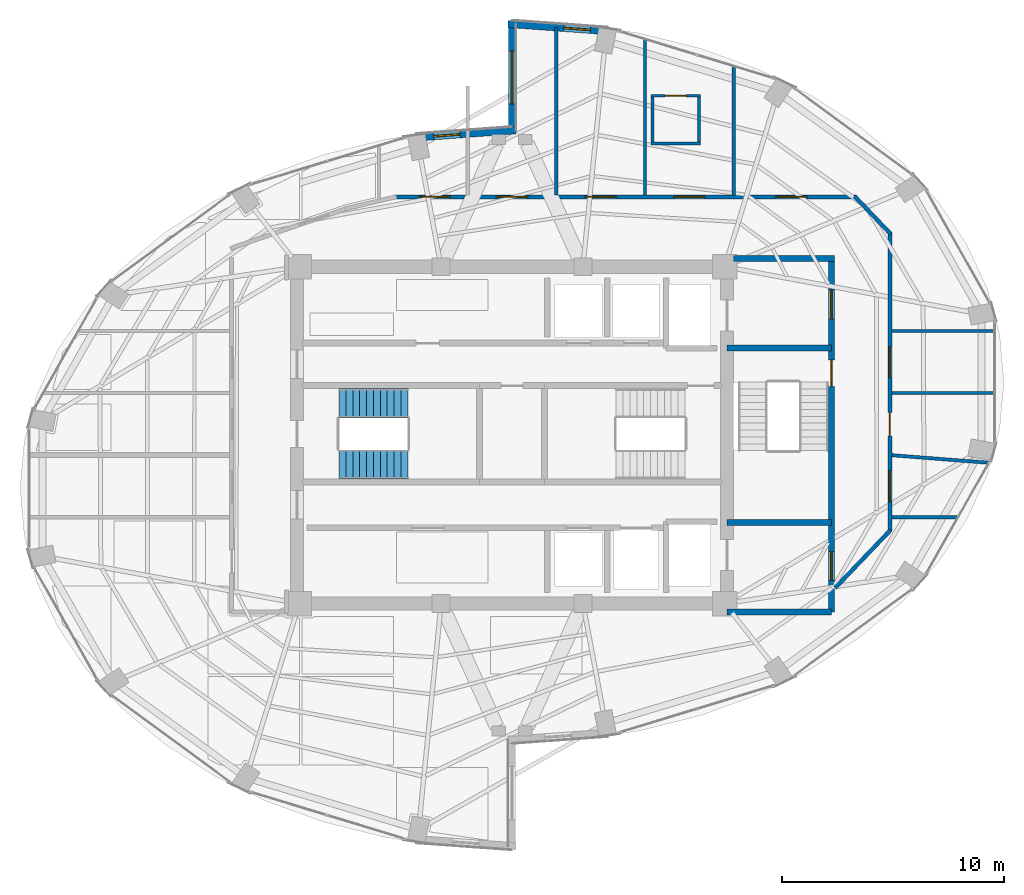
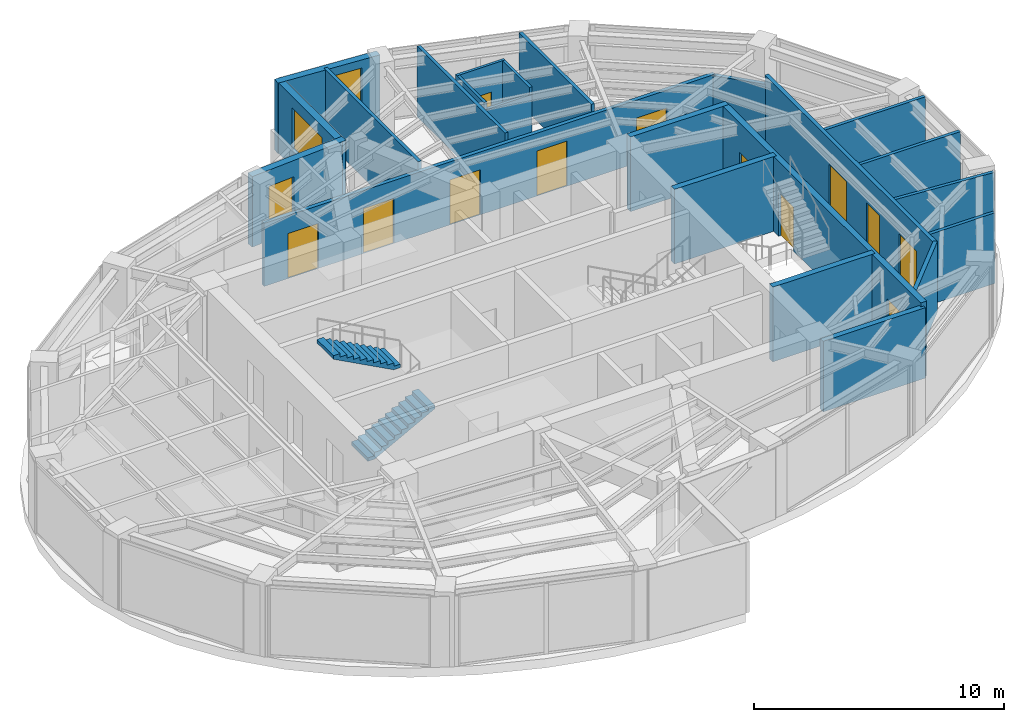
# One storey, part 20 of 23: 23 walls, 12 doors, 3 windows, 2 stair flights, 15 openings, 1 element without a shape of its own.
"""IFC4 building model written with IfcOpenShell, lengths in metres."""

from ifc_helpers import new_model, si_unit, direction, frame, frame_2d, origin, place, context, subcontext, project, spatial, polyline, rectangle, outline, extrude, material, layer, layer_set, type_object, element, fill, aggregate, save


model = new_model("IFC4")

# Units and contexts
model_context = context("Model", 3, precision=1e-05, world=origin(), true_north=direction((0.0, 1.0)))
body_context = subcontext(model_context, "Body", "Model", "MODEL_VIEW")
ifc_project = project(units=[si_unit("LENGTHUNIT", "METRE"), si_unit("AREAUNIT", "SQUARE_METRE"), si_unit("VOLUMEUNIT", "CUBIC_METRE"), si_unit("PLANEANGLEUNIT", "RADIAN"), si_unit("MASSUNIT", "GRAM", prefix="KILO")], contexts=[model_context])

# Site, building, storey
site_placement = place(None, origin())
site = spatial("IfcSite", under=ifc_project, at=site_placement, CompositionType="ELEMENT")
building_placement = place(site_placement, origin())
building = spatial("IfcBuilding", under=site, at=building_placement, Name="Lazwardi Medical Tower", CompositionType="ELEMENT")
storey_placement = place(building_placement, frame((0.0, 0.0, 194.83203125)))
storey = spatial("IfcBuildingStorey", under=building, at=storey_placement, Name="L50", CompositionType="ELEMENT", Elevation=194.83203125)

# Wall, openings, doors
ifc_material_1 = material(Name="Fire-rated gypsum board on steel stud", Category="steel")
ifc_layer_1 = layer(ifc_material_1, 0.179931640625)
ifc_layer_set_1 = layer_set([ifc_layer_1], Name="Fire-rated gypsum board on steel stud")
wall_type_1 = type_object("IfcWallType", Name="WL-COR-180", PredefinedType="PARTITIONING", material=ifc_layer_set_1)
wall_1_placement = place(storey_placement, frame((30.709716796875, 38.75, 0.0), z_axis=(0.0, 0.0, 1.0), x_axis=(1.0, 0.0, 0.0)))
wall_1 = element("IfcWall", 1, at=wall_1_placement, inside=storey, type_object=wall_type_1, Name="L50 Corridor partition 3", PredefinedType="PARTITIONING", context=body_context, shape_type="SweptSolid", body=[
    extrude(rectangle(XDim=20.8154296875, YDim=0.179931640625, at=frame_2d((10.40771484375, 0.0))), origin(), (0.0, 0.0, 1.0), 3.072998046875),
])
opening_1_placement = place(wall_1_placement, frame((17.19384765625, 0.0, 0.0)))
opening_1 = element("IfcOpeningElement", 2, at=opening_1_placement, cuts=wall_1, Name="Opening D-L50-014", PredefinedType="OPENING", context=body_context, shape_type="SweptSolid", body=[
    extrude(rectangle(XDim=1.39990234375, YDim=2.199951171875, at=frame_2d((0.699951171875, 1.10009765625))), frame((0.0, 0.099853515625, 0.0), z_axis=(0.0, -1.0, 0.0), x_axis=(1.0, 0.0, 0.0)), (0.0, 0.0, 1.0), 0.199951171875),
])
opening_2_placement = place(wall_1_placement, frame((12.590087890625, 0.0, 0.0)))
opening_2 = element("IfcOpeningElement", 3, at=opening_2_placement, cuts=wall_1, Name="Opening D-L50-015", PredefinedType="OPENING", context=body_context, shape_type="SweptSolid", body=[
    extrude(rectangle(XDim=1.39990234375, YDim=2.199951171875, at=frame_2d((0.699951171875, 1.10009765625))), frame((0.0, 0.099853515625, 0.0), z_axis=(0.0, -1.0, 0.0), x_axis=(1.0, 0.0, 0.0)), (0.0, 0.0, 1.0), 0.199951171875),
])
opening_3_placement = place(wall_1_placement, frame((8.590087890625, 0.0, 0.0)))
opening_3 = element("IfcOpeningElement", 4, at=opening_3_placement, cuts=wall_1, Name="Opening D-L50-016", PredefinedType="OPENING", context=body_context, shape_type="SweptSolid", body=[
    extrude(rectangle(XDim=1.39990234375, YDim=2.199951171875, at=frame_2d((0.699951171875, 1.10009765625))), frame((0.0, 0.099853515625, 0.0), z_axis=(0.0, -1.0, 0.0), x_axis=(1.0, 0.0, 0.0)), (0.0, 0.0, 1.0), 0.199951171875),
])
opening_4_placement = place(wall_1_placement, frame((4.590087890625, 0.0, 0.0)))
opening_4 = element("IfcOpeningElement", 5, at=opening_4_placement, cuts=wall_1, Name="Opening D-L50-017", PredefinedType="OPENING", context=body_context, shape_type="SweptSolid", body=[
    extrude(rectangle(XDim=1.39990234375, YDim=2.199951171875, at=frame_2d((0.699951171875, 1.10009765625))), frame((0.0, 0.099853515625, 0.0), z_axis=(0.0, -1.0, 0.0), x_axis=(1.0, 0.0, 0.0)), (0.0, 0.0, 1.0), 0.199951171875),
])
opening_5_placement = place(wall_1_placement, frame((1.10400390625, 0.0, 0.0)))
opening_5 = element("IfcOpeningElement", 6, at=opening_5_placement, cuts=wall_1, Name="Opening D-L50-018", PredefinedType="OPENING", context=body_context, shape_type="SweptSolid", body=[
    extrude(rectangle(XDim=1.39990234375, YDim=2.199951171875, at=frame_2d((0.699951171875, 1.10009765625))), frame((0.0, 0.099853515625, 0.0), z_axis=(0.0, -1.0, 0.0), x_axis=(1.0, 0.0, 0.0)), (0.0, 0.0, 1.0), 0.199951171875),
])
ifc_material_2 = material(Name="Anti-microbial laminate hospital leaf")
door_type_1 = type_object("IfcDoorType", Name="DR-BED-1400", OperationType="NOTDEFINED", PredefinedType="DOOR", material=ifc_material_2)
door_1_placement = place(opening_1_placement, origin())
door_1 = element("IfcDoor", 7, at=door_1_placement, inside=storey, type_object=door_type_1, Name="L50 Inpatient Ward Door 06", OperationType="SINGLE_SWING_LEFT", OverallHeight=2.199951171875, OverallWidth=1.39990234375, PredefinedType="DOOR", context=body_context, shape_type="SweptSolid", body=[
    extrude(rectangle(XDim=1.39990234375, YDim=2.199951171875, at=frame_2d((0.699951171875, 1.10009765625))), frame((0.0, 0.02490234375, 0.0), z_axis=(0.0, -1.0, 0.0), x_axis=(1.0, 0.0, 0.0)), (0.0, 0.0, 1.0), 0.050048828125),
])
fill(opening_1, door_1)
door_2_placement = place(opening_2_placement, origin())
door_2 = element("IfcDoor", 8, at=door_2_placement, inside=storey, type_object=door_type_1, Name="L50 Patient Bedroom Door 07", OperationType="SINGLE_SWING_LEFT", OverallHeight=2.199951171875, OverallWidth=1.39990234375, PredefinedType="DOOR", context=body_context, shape_type="SweptSolid", body=[
    extrude(rectangle(XDim=1.39990234375, YDim=2.199951171875, at=frame_2d((0.699951171875, 1.10009765625))), frame((0.0, 0.02490234375, 0.0), z_axis=(0.0, -1.0, 0.0), x_axis=(1.0, 0.0, 0.0)), (0.0, 0.0, 1.0), 0.050048828125),
])
fill(opening_2, door_2)
door_3_placement = place(opening_3_placement, origin())
door_3 = element("IfcDoor", 9, at=door_3_placement, inside=storey, type_object=door_type_1, Name="L50 Inpatient Ward Door 08", OperationType="SINGLE_SWING_RIGHT", OverallHeight=2.199951171875, OverallWidth=1.39990234375, PredefinedType="DOOR", context=body_context, shape_type="SweptSolid", body=[
    extrude(rectangle(XDim=1.39990234375, YDim=2.199951171875, at=frame_2d((0.699951171875, 1.10009765625))), frame((0.0, 0.02490234375, 0.0), z_axis=(0.0, -1.0, 0.0), x_axis=(1.0, 0.0, 0.0)), (0.0, 0.0, 1.0), 0.050048828125),
])
fill(opening_3, door_3)
door_4_placement = place(opening_4_placement, origin())
door_4 = element("IfcDoor", 10, at=door_4_placement, inside=storey, type_object=door_type_1, Name="L50 Outpatient Clinic Door 09", OperationType="SINGLE_SWING_LEFT", OverallHeight=2.199951171875, OverallWidth=1.39990234375, PredefinedType="DOOR", context=body_context, shape_type="SweptSolid", body=[
    extrude(rectangle(XDim=1.39990234375, YDim=2.199951171875, at=frame_2d((0.699951171875, 1.10009765625))), frame((0.0, 0.02490234375, 0.0), z_axis=(0.0, -1.0, 0.0), x_axis=(1.0, 0.0, 0.0)), (0.0, 0.0, 1.0), 0.050048828125),
])
fill(opening_4, door_4)
door_5_placement = place(opening_5_placement, origin())
door_5 = element("IfcDoor", 11, at=door_5_placement, inside=storey, type_object=door_type_1, Name="L50 Outpatient Clinic Door 10", OperationType="SINGLE_SWING_RIGHT", OverallHeight=2.199951171875, OverallWidth=1.39990234375, PredefinedType="DOOR", context=body_context, shape_type="SweptSolid", body=[
    extrude(rectangle(XDim=1.39990234375, YDim=2.199951171875, at=frame_2d((0.699951171875, 1.10009765625))), frame((0.0, 0.02490234375, 0.0), z_axis=(0.0, -1.0, 0.0), x_axis=(1.0, 0.0, 0.0)), (0.0, 0.0, 1.0), 0.050048828125),
])
fill(opening_5, door_5)

# Wall
wall_2_placement = place(storey_placement, frame((51.45751953125, 38.77880859375, 0.0), z_axis=(0.0, 0.0, 1.0), x_axis=(0.691359830363, -0.722510612352, 0.0)))
element("IfcWall", 12, at=wall_2_placement, inside=storey, type_object=wall_type_1, Name="L50 Corridor partition 4", PredefinedType="PARTITIONING", context=body_context, shape_type="SweptSolid", body=[
    extrude(rectangle(XDim=2.34326171875, YDim=0.179931640625, at=frame_2d((1.171630859375, 0.0))), origin(), (0.0, 0.0, 1.0), 3.032958984375),
])

# Wall, openings, doors
wall_3_placement = place(storey_placement, frame((53.050048828125, 37.154541015625, 0.0), z_axis=(0.0, 0.0, 1.0), x_axis=(0.0, -1.0, 0.0)))
wall_3 = element("IfcWall", 13, at=wall_3_placement, inside=storey, type_object=wall_type_1, Name="L50 Corridor partition 5", PredefinedType="PARTITIONING", context=body_context, shape_type="SweptSolid", body=[
    extrude(rectangle(XDim=13.509033203125, YDim=0.179931640625, at=frame_2d((6.75439453125, 0.0))), origin(), (0.0, 0.0, 1.0), 3.447998046875),
])
opening_6_placement = place(wall_3_placement, frame((10.7578125, 0.0, 0.0)))
opening_6 = element("IfcOpeningElement", 14, at=opening_6_placement, cuts=wall_3, Name="Opening D-L50-011", PredefinedType="OPENING", context=body_context, shape_type="SweptSolid", body=[
    extrude(rectangle(XDim=1.39990234375, YDim=2.199951171875, at=frame_2d((0.699951171875, 1.10009765625))), frame((0.0, 0.099853515625, 0.0), z_axis=(0.0, -1.0, 0.0), x_axis=(1.0, 0.0, 0.0)), (0.0, 0.0, 1.0), 0.199951171875),
])
opening_7_placement = place(wall_3_placement, frame((8.132568359375, 0.0, 0.0)))
opening_7 = element("IfcOpeningElement", 15, at=opening_7_placement, cuts=wall_3, Name="Opening D-L50-012", PredefinedType="OPENING", context=body_context, shape_type="SweptSolid", body=[
    extrude(rectangle(XDim=1.050048828125, YDim=2.14990234375, at=frame_2d((0.52490234375, 1.074951171875))), frame((0.0, 0.099853515625, 0.0), z_axis=(0.0, -1.0, 0.0), x_axis=(1.0, 0.0, 0.0)), (0.0, 0.0, 1.0), 0.199951171875),
])
opening_8_placement = place(wall_3_placement, frame((5.154541015625, 0.0, 0.0)))
opening_8 = element("IfcOpeningElement", 16, at=opening_8_placement, cuts=wall_3, Name="Opening D-L50-013", PredefinedType="OPENING", context=body_context, shape_type="SweptSolid", body=[
    extrude(rectangle(XDim=1.39990234375, YDim=2.199951171875, at=frame_2d((0.699951171875, 1.10009765625))), frame((0.0, 0.099853515625, 0.0), z_axis=(0.0, -1.0, 0.0), x_axis=(1.0, 0.0, 0.0)), (0.0, 0.0, 1.0), 0.199951171875),
])
door_6_placement = place(opening_6_placement, origin())
door_6 = element("IfcDoor", 17, at=door_6_placement, inside=storey, type_object=door_type_1, Name="L50 Patient Day Lounge Door 03", OperationType="SINGLE_SWING_RIGHT", OverallHeight=2.199951171875, OverallWidth=1.39990234375, PredefinedType="DOOR", context=body_context, shape_type="SweptSolid", body=[
    extrude(rectangle(XDim=1.39990234375, YDim=2.199951171875, at=frame_2d((0.699951171875, 1.10009765625))), frame((0.0, 0.02490234375, 0.0), z_axis=(0.0, -1.0, 0.0), x_axis=(1.0, 0.0, 0.0)), (0.0, 0.0, 1.0), 0.050048828125),
])
fill(opening_6, door_6)
door_7_placement = place(opening_8_placement, origin())
door_7 = element("IfcDoor", 18, at=door_7_placement, inside=storey, type_object=door_type_1, Name="L50 Outpatient Clinic Door 05", OperationType="SINGLE_SWING_RIGHT", OverallHeight=2.199951171875, OverallWidth=1.39990234375, PredefinedType="DOOR", context=body_context, shape_type="SweptSolid", body=[
    extrude(rectangle(XDim=1.39990234375, YDim=2.199951171875, at=frame_2d((0.699951171875, 1.10009765625))), frame((0.0, 0.02490234375, 0.0), z_axis=(0.0, -1.0, 0.0), x_axis=(1.0, 0.0, 0.0)), (0.0, 0.0, 1.0), 0.050048828125),
])
fill(opening_8, door_7)
door_type_2 = type_object("IfcDoorType", Name="DR-CLN-1050", OperationType="NOTDEFINED", PredefinedType="DOOR", material=ifc_material_2)
door_8_placement = place(opening_7_placement, origin())
door_8 = element("IfcDoor", 19, at=door_8_placement, inside=storey, type_object=door_type_2, Name="L50 Ward Dietetic Pantry Door 04", OperationType="SINGLE_SWING_LEFT", OverallHeight=2.14990234375, OverallWidth=1.050048828125, PredefinedType="DOOR", context=body_context, shape_type="SweptSolid", body=[
    extrude(rectangle(XDim=1.050048828125, YDim=2.14990234375, at=frame_2d((0.52490234375, 1.074951171875))), frame((0.0, 0.02490234375, 0.0), z_axis=(0.0, -1.0, 0.0), x_axis=(1.0, 0.0, 0.0)), (0.0, 0.0, 1.0), 0.050048828125),
])
fill(opening_7, door_8)

# Wall
wall_4_placement = place(storey_placement, frame((53.07763671875, 23.71435546875, 0.0), z_axis=(0.0, 0.0, 1.0), x_axis=(-0.691353379446, -0.722516785085, 0.0)))
element("IfcWall", 20, at=wall_4_placement, inside=storey, type_object=wall_type_1, Name="L50 Corridor partition 6", PredefinedType="PARTITIONING", context=body_context, shape_type="SweptSolid", body=[
    extrude(rectangle(XDim=3.603759765625, YDim=0.179931640625, at=frame_2d((1.8017578125, 0.0))), origin(), (0.0, 0.0, 1.0), 3.447998046875),
])

# Wall, opening, door
ifc_material_3 = material(Name="Moisture-resistant gypsum board partition")
ifc_layer_2 = layer(ifc_material_3, 0.125)
ifc_layer_set_2 = layer_set([ifc_layer_2], Name="Moisture-resistant gypsum board partition")
wall_type_2 = type_object("IfcWallType", Name="WL-ENS-125", PredefinedType="PARTITIONING", material=ifc_layer_set_2)
wall_5_placement = place(storey_placement, frame((42.27490234375, 43.3193359375, 0.0), z_axis=(0.0, 0.0, 1.0), x_axis=(1.0, 0.0, 0.0)))
wall_5 = element("IfcWall", 21, at=wall_5_placement, inside=storey, type_object=wall_type_2, Name="L50 En-suite wall 7N", PredefinedType="PARTITIONING", context=body_context, shape_type="SweptSolid", body=[
    extrude(rectangle(XDim=2.22021484375, YDim=0.125, at=frame_2d((1.110107421875, 0.0))), origin(), (0.0, 0.0, 1.0), 3.447998046875),
])
opening_9_placement = place(wall_5_placement, frame((0.635009765625, 0.0, 0.0)))
opening_9 = element("IfcOpeningElement", 22, at=opening_9_placement, cuts=wall_5, Name="Opening D-L50-002", PredefinedType="OPENING", context=body_context, shape_type="SweptSolid", body=[
    extrude(rectangle(XDim=0.949951171875, YDim=2.10009765625, at=frame_2d((0.47509765625, 1.050048828125))), frame((0.0, 0.072509765625, 0.0), z_axis=(0.0, -1.0, 0.0), x_axis=(1.0, 0.0, 0.0)), (0.0, 0.0, 1.0), 0.14501953125),
])
ifc_material_4 = material(Name="Moisture-resistant laminate door leaf")
door_type_3 = type_object("IfcDoorType", Name="DR-ENS-950", OperationType="NOTDEFINED", PredefinedType="DOOR", material=ifc_material_4)
door_9_placement = place(opening_9_placement, origin())
door_9 = element("IfcDoor", 23, at=door_9_placement, inside=storey, type_object=door_type_3, Name="L50 En-suite Door 07", OperationType="SINGLE_SWING_RIGHT", OverallHeight=2.10009765625, OverallWidth=0.949951171875, PredefinedType="DOOR", context=body_context, shape_type="SweptSolid", body=[
    extrude(rectangle(XDim=0.949951171875, YDim=2.10009765625, at=frame_2d((0.47509765625, 1.050048828125))), frame((0.0, 0.02490234375, 0.0), z_axis=(0.0, -1.0, 0.0), x_axis=(1.0, 0.0, 0.0)), (0.0, 0.0, 1.0), 0.050048828125),
])
fill(opening_9, door_9)

# Walls
wall_6_placement = place(storey_placement, frame((42.27490234375, 41.159423828125, 0.0), z_axis=(0.0, 0.0, 1.0), x_axis=(1.0, 0.0, 0.0)))
element("IfcWall", 24, at=wall_6_placement, inside=storey, type_object=wall_type_2, Name="L50 En-suite wall 7S", PredefinedType="PARTITIONING", context=body_context, shape_type="SweptSolid", body=[
    extrude(rectangle(XDim=2.22021484375, YDim=0.125, at=frame_2d((1.110107421875, 0.0))), origin(), (0.0, 0.0, 1.0), 3.072998046875),
])
for number, where, z_axis, x_axis, name in (
    (25, (44.43505859375, 41.099365234375, 0.0), (0.0, 0.0, 1.0), (0.0, 1.0, 0.0), "L50 En-suite wall 7E"),
    (26, (42.3349609375, 41.099365234375, 0.0), (0.0, 0.0, 1.0), (0.0, 1.0, 0.0), "L50 En-suite wall 7W"),
):
    element("IfcWall", number, at=place(storey_placement, frame(where, z_axis=z_axis, x_axis=x_axis)), inside=storey, type_object=wall_type_2, Name=name, PredefinedType="PARTITIONING", context=body_context, shape_type="SweptSolid", body=[
        extrude(rectangle(XDim=2.280029296875, YDim=0.125, at=frame_2d((1.14013671875, 0.0))), origin(), (0.0, 0.0, 1.0), 3.447998046875),
    ])

# Wall, opening, window
ifc_material_5 = material(Name="Precast concrete C45/55", Category="concrete")
ifc_layer_3 = layer(ifc_material_5, 0.320068359375)
ifc_layer_set_3 = layer_set([ifc_layer_3], Name="Precast concrete C45/55")
wall_type_3 = type_object("IfcWallType", Name="WL-IWAN-320", PredefinedType="SOLIDWALL", material=ifc_layer_set_3)
wall_7_placement = place(storey_placement, frame((40.349609375, 46.226318359375, 0.0), z_axis=(0.0, 0.0, 1.0), x_axis=(-0.997409061056, 0.071938619141, 0.0)))
wall_7 = element("IfcWall", 27, at=wall_7_placement, inside=storey, type_object=wall_type_3, Name="L50 Iwan Portal Return Wall NE_ret", PredefinedType="SOLIDWALL", context=body_context, shape_type="SweptSolid", body=[
    extrude(rectangle(XDim=4.540771484375, YDim=0.320068359375, at=frame_2d((2.2705078125, 0.0))), origin(), (0.0, 0.0, 1.0), 3.447998046875),
])
opening_10_placement = place(wall_7_placement, frame((0.814697265625, 0.0, 0.85009765625)))
opening_10 = element("IfcOpeningElement", 28, at=opening_10_placement, cuts=wall_7, Name="Opening WN-01", PredefinedType="OPENING", context=body_context, shape_type="SweptSolid", body=[
    extrude(rectangle(XDim=1.199951171875, YDim=2.199951171875, at=frame_2d((0.60009765625, 1.10009765625))), frame((0.0, 0.169921875, 0.0), z_axis=(0.0, -1.0, 0.0), x_axis=(1.0, 0.0, 0.0)), (0.0, 0.0, 1.0), 0.340087890625),
])
ifc_material_6 = material(Name="Low-e bronze solar control double glazing", Category="glass")
window_type_1 = type_object("IfcWindowType", Name="WIN-IW-1200", PartitioningType="SINGLE_PANEL", PredefinedType="WINDOW", material=ifc_material_6)
window_1_placement = place(opening_10_placement, origin())
window_1 = element("IfcWindow", 29, at=window_1_placement, inside=storey, type_object=window_type_1, Name="L50 Iwan Slot Window NE_ret", OverallHeight=2.199951171875, OverallWidth=1.199951171875, PartitioningType="SINGLE_PANEL", PredefinedType="WINDOW", context=body_context, shape_type="SweptSolid", body=[
    extrude(rectangle(XDim=1.199951171875, YDim=2.199951171875, at=frame_2d((0.60009765625, 1.10009765625))), frame((0.0, 0.030029296875, 0.0), z_axis=(0.0, -1.0, 0.0), x_axis=(1.0, 0.0, 0.0)), (0.0, 0.0, 1.0), 0.06005859375),
])
fill(opening_10, window_1)

wall_8_placement = place(storey_placement, frame((36.17919921875, 41.7529296875, 0.0), z_axis=(0.0, 0.0, 1.0), x_axis=(-0.997408782787, -0.071942477163, 0.0)))
wall_8 = element("IfcWall", 30, at=wall_8_placement, inside=storey, type_object=wall_type_3, Name="L50 Iwan Portal Return Wall NW_ret", PredefinedType="SOLIDWALL", context=body_context, shape_type="SweptSolid", body=[
    extrude(rectangle(XDim=4.54052734375, YDim=0.320068359375, at=frame_2d((2.270263671875, 0.0))), origin(), (0.0, 0.0, 1.0), 3.447998046875),
])
opening_11_placement = place(wall_8_placement, frame((2.52587890625, 0.0, 0.85009765625)))
opening_11 = element("IfcOpeningElement", 31, at=opening_11_placement, cuts=wall_8, Name="Opening WN-04", PredefinedType="OPENING", context=body_context, shape_type="SweptSolid", body=[
    extrude(rectangle(XDim=1.199951171875, YDim=1.800048828125, at=frame_2d((0.60009765625, 0.89990234375))), frame((0.0, 0.169921875, 0.0), z_axis=(0.0, -1.0, 0.0), x_axis=(1.0, 0.0, 0.0)), (0.0, 0.0, 1.0), 0.340087890625),
])
window_type_2 = type_object("IfcWindowType", Name="WIN-DRUM-1200", PartitioningType="SINGLE_PANEL", PredefinedType="WINDOW", material=ifc_material_6)
window_2_placement = place(opening_11_placement, origin())
window_2 = element("IfcWindow", 32, at=window_2_placement, inside=storey, type_object=window_type_2, Name="L50 Iwan Slot Window NW_ret", OverallHeight=1.800048828125, OverallWidth=1.199951171875, PartitioningType="SINGLE_PANEL", PredefinedType="WINDOW", context=body_context, shape_type="SweptSolid", body=[
    extrude(rectangle(XDim=1.199951171875, YDim=1.800048828125, at=frame_2d((0.60009765625, 0.89990234375))), frame((0.0, 0.030029296875, 0.0), z_axis=(0.0, -1.0, 0.0), x_axis=(1.0, 0.0, 0.0)), (0.0, 0.0, 1.0), 0.06005859375),
])
fill(opening_11, window_2)

wall_9_placement = place(storey_placement, frame((36.0, 46.699951171875, 0.0), z_axis=(0.0, 0.0, 1.0), x_axis=(0.0, -1.0, 0.0)))
wall_9 = element("IfcWall", 33, at=wall_9_placement, inside=storey, type_object=wall_type_3, Name="L50 Turquoise Tilework Iwan Seam Wall N_seam", PredefinedType="SOLIDWALL", context=body_context, shape_type="SweptSolid", body=[
    extrude(rectangle(XDim=5.119873046875, YDim=0.320068359375, at=frame_2d((2.56005859375, 0.0))), origin(), (0.0, 0.0, 1.0), 3.447998046875),
])
opening_12_placement = place(wall_9_placement, frame((1.360107421875, 0.0, 0.840087890625)))
opening_12 = element("IfcOpeningElement", 34, at=opening_12_placement, cuts=wall_9, Name="Opening WN-02", PredefinedType="OPENING", context=body_context, shape_type="SweptSolid", body=[
    extrude(rectangle(XDim=2.39990234375, YDim=2.0400390625, at=frame_2d((1.199951171875, 1.02001953125))), frame((0.0, 0.169921875, 0.0), z_axis=(0.0, -1.0, 0.0), x_axis=(1.0, 0.0, 0.0)), (0.0, 0.0, 1.0), 0.340087890625),
])
window_type_3 = type_object("IfcWindowType", Name="WIN-IW-2400", PartitioningType="SINGLE_PANEL", PredefinedType="WINDOW", material=ifc_material_6)
window_3_placement = place(opening_12_placement, origin())
window_3 = element("IfcWindow", 35, at=window_3_placement, inside=storey, type_object=window_type_3, Name="L50 Iwan Seam Window N_seam", OverallHeight=2.0400390625, OverallWidth=2.39990234375, PartitioningType="SINGLE_PANEL", PredefinedType="WINDOW", context=body_context, shape_type="SweptSolid", body=[
    extrude(rectangle(XDim=2.39990234375, YDim=2.0400390625, at=frame_2d((1.199951171875, 1.02001953125))), frame((0.0, 0.030029296875, 0.0), z_axis=(0.0, -1.0, 0.0), x_axis=(1.0, 0.0, 0.0)), (0.0, 0.0, 1.0), 0.06005859375),
])
fill(opening_12, window_3)

# Wall
ifc_material_7 = material(Name="Autoclaved aerated concrete blockwork", Category="masonry")
ifc_layer_4 = layer(ifc_material_7, 0.25)
ifc_layer_set_4 = layer_set([ifc_layer_4], Name="Autoclaved aerated concrete blockwork")
wall_type_4 = type_object("IfcWallType", Name="WL-SHAFT-250", PredefinedType="SOLIDWALL", material=ifc_layer_set_4)
wall_10_placement = place(storey_placement, frame((45.699951171875, 20.02001953125, 0.0), z_axis=(0.0, 0.0, 1.0), x_axis=(1.0, 0.0, 0.0)))
element("IfcWall", 36, at=wall_10_placement, inside=storey, type_object=wall_type_4, Name="L50 FFL-S South wall", PredefinedType="SOLIDWALL", context=body_context, shape_type="SweptSolid", body=[
    extrude(rectangle(XDim=4.715087890625, YDim=0.25, at=frame_2d((2.357421875, 0.0))), origin(), (0.0, 0.0, 1.0), 3.447998046875),
])

# Wall, openings, doors
ifc_material_8 = material(Name="Concrete C50/60", Category="concrete")
ifc_layer_5 = layer(ifc_material_8, 0.27001953125)
ifc_layer_set_5 = layer_set([ifc_layer_5], Name="Concrete C50/60")
wall_type_5 = type_object("IfcWallType", Name="WL-STR-250", PredefinedType="SHEAR", material=ifc_layer_set_5)
wall_11_placement = place(storey_placement, frame((50.4150390625, 35.844970703125, 0.0), z_axis=(0.0, 0.0, 1.0), x_axis=(0.0, -1.0, 0.0)))
wall_11 = element("IfcWall", 37, at=wall_11_placement, inside=storey, type_object=wall_type_5, Name="L50 East ST3 & FFL shear wall SW-S1", PredefinedType="SHEAR", context=body_context, shape_type="SweptSolid", body=[
    extrude(rectangle(XDim=15.824951171875, YDim=0.27001953125, at=frame_2d((7.91259765625, 0.0))), origin(), (0.0, 0.0, 1.0), 3.64794921875),
])
opening_13_placement = place(wall_11_placement, frame((4.445068359375, 0.0, 0.0)))
opening_13 = element("IfcOpeningElement", 38, at=opening_13_placement, cuts=wall_11, Name="Opening D-L50-024", PredefinedType="OPENING", context=body_context, shape_type="SweptSolid", body=[
    extrude(rectangle(XDim=1.199951171875, YDim=2.14990234375, at=frame_2d((0.60009765625, 1.074951171875))), frame((0.0, 0.14501953125, 0.0), z_axis=(0.0, -1.0, 0.0), x_axis=(1.0, 0.0, 0.0)), (0.0, 0.0, 1.0), 0.2900390625),
])
opening_14_placement = place(wall_11_placement, frame((1.294921875, 0.0, 0.0)))
opening_14 = element("IfcOpeningElement", 39, at=opening_14_placement, cuts=wall_11, Name="Opening D-L50-005", PredefinedType="OPENING", context=body_context, shape_type="SweptSolid", body=[
    extrude(rectangle(XDim=1.300048828125, YDim=2.199951171875, at=frame_2d((0.64990234375, 1.10009765625))), frame((0.0, 0.14501953125, 0.0), z_axis=(0.0, -1.0, 0.0), x_axis=(1.0, 0.0, 0.0)), (0.0, 0.0, 1.0), 0.2900390625),
])
opening_15_placement = place(wall_11_placement, frame((13.094970703125, 0.0, 0.0)))
opening_15 = element("IfcOpeningElement", 40, at=opening_15_placement, cuts=wall_11, Name="Opening D-L50-006", PredefinedType="OPENING", context=body_context, shape_type="SweptSolid", body=[
    extrude(rectangle(XDim=1.300048828125, YDim=2.199951171875, at=frame_2d((0.64990234375, 1.10009765625))), frame((0.0, 0.14501953125, 0.0), z_axis=(0.0, -1.0, 0.0), x_axis=(1.0, 0.0, 0.0)), (0.0, 0.0, 1.0), 0.2900390625),
])
ifc_material_9 = material(Name="Fire-rated steel leaf and frame", Category="steel")
door_type_4 = type_object("IfcDoorType", Name="DR-FFL-1300", OperationType="NOTDEFINED", PredefinedType="DOOR", material=ifc_material_9)
door_10_placement = place(opening_14_placement, origin())
door_10 = element("IfcDoor", 41, at=door_10_placement, inside=storey, type_object=door_type_4, Name="L50 Fire-Fighting Lobby North Door", OperationType="SINGLE_SWING_RIGHT", OverallHeight=2.199951171875, OverallWidth=1.300048828125, PredefinedType="DOOR", context=body_context, shape_type="SweptSolid", body=[
    extrude(rectangle(XDim=1.300048828125, YDim=2.199951171875, at=frame_2d((0.64990234375, 1.10009765625))), frame((0.0, 0.02490234375, 0.0), z_axis=(0.0, -1.0, 0.0), x_axis=(1.0, 0.0, 0.0)), (0.0, 0.0, 1.0), 0.050048828125),
])
fill(opening_14, door_10)
door_11_placement = place(opening_15_placement, origin())
door_11 = element("IfcDoor", 42, at=door_11_placement, inside=storey, type_object=door_type_4, Name="L50 Fire-Fighting Lobby South Door", OperationType="SINGLE_SWING_LEFT", OverallHeight=2.199951171875, OverallWidth=1.300048828125, PredefinedType="DOOR", context=body_context, shape_type="SweptSolid", body=[
    extrude(rectangle(XDim=1.300048828125, YDim=2.199951171875, at=frame_2d((0.64990234375, 1.10009765625))), frame((0.0, 0.02490234375, 0.0), z_axis=(0.0, -1.0, 0.0), x_axis=(1.0, 0.0, 0.0)), (0.0, 0.0, 1.0), 0.050048828125),
])
fill(opening_15, door_11)
door_type_5 = type_object("IfcDoorType", Name="DR-STR-1200", OperationType="NOTDEFINED", PredefinedType="DOOR", material=ifc_material_9)
door_12_placement = place(opening_13_placement, origin())
door_12 = element("IfcDoor", 43, at=door_12_placement, inside=storey, type_object=door_type_5, Name="L50 Exit Stair ST3 Door", OperationType="SINGLE_SWING_LEFT", OverallHeight=2.14990234375, OverallWidth=1.199951171875, PredefinedType="DOOR", context=body_context, shape_type="SweptSolid", body=[
    extrude(rectangle(XDim=1.199951171875, YDim=2.14990234375, at=frame_2d((0.60009765625, 1.074951171875))), frame((0.0, 0.02490234375, 0.0), z_axis=(0.0, -1.0, 0.0), x_axis=(1.0, 0.0, 0.0)), (0.0, 0.0, 1.0), 0.050048828125),
])
fill(opening_13, door_12)

# Walls
wall_12_placement = place(storey_placement, frame((46.0, 35.97998046875, 0.0), z_axis=(0.0, 0.0, 1.0), x_axis=(1.0, 0.0, 0.0)))
element("IfcWall", 44, at=wall_12_placement, inside=storey, type_object=wall_type_5, Name="L50 FFL-N North shear wall SW-S1", PredefinedType="SHEAR", context=body_context, shape_type="SweptSolid", body=[
    extrude(rectangle(XDim=4.550048828125, YDim=0.27001953125, at=frame_2d((2.27490234375, 0.0))), origin(), (0.0, 0.0, 1.0), 3.64794921875),
])
for number, where, z_axis, x_axis, name in (
    (45, (45.699951171875, 31.93505859375, 0.0), (0.0, 0.0, 1.0), (1.0, 0.0, 0.0), "L50 ST3 North shear shaft wall SW-S1"),
    (46, (45.699951171875, 24.06494140625, 0.0), (0.0, 0.0, 1.0), (1.0, 0.0, 0.0), "L50 ST3 South shear shaft wall SW-S1"),
):
    element("IfcWall", number, at=place(storey_placement, frame(where, z_axis=z_axis, x_axis=x_axis)), inside=storey, type_object=wall_type_5, Name=name, PredefinedType="SHEAR", context=body_context, shape_type="SweptSolid", body=[
        extrude(rectangle(XDim=4.715087890625, YDim=0.27001953125, at=frame_2d((2.357421875, 0.0))), origin(), (0.0, 0.0, 1.0), 3.64794921875),
    ])
ifc_material_10 = material(Name="Acoustic gypsum board partition")
ifc_layer_6 = layer(ifc_material_10, 0.14990234375)
ifc_layer_set_6 = layer_set([ifc_layer_6], Name="Acoustic gypsum board partition")
wall_type_6 = type_object("IfcWallType", Name="WL-WRD-150", PredefinedType="PARTITIONING", material=ifc_layer_set_6)
wall_13_placement = place(storey_placement, frame((53.139892578125, 24.300048828125, 0.0), z_axis=(0.0, 0.0, 1.0), x_axis=(1.0, 0.0, 0.0)))
element("IfcWall", 47, at=wall_13_placement, inside=storey, type_object=wall_type_6, Name="L50 Room partition 5", PredefinedType="PARTITIONING", context=body_context, shape_type="SweptSolid", body=[
    extrude(rectangle(XDim=2.982177734375, YDim=0.14990234375, at=frame_2d((1.4912109375, 0.0))), origin(), (0.0, 0.0, 1.0), 3.447998046875),
])
wall_14_placement = place(storey_placement, frame((53.139892578125, 27.09423828125, 0.0), z_axis=(0.0, 0.0, 1.0), x_axis=(0.996990775312, -0.077520280847, 0.0)))
element("IfcWall", 48, at=wall_14_placement, inside=storey, type_object=wall_type_6, Name="L50 Room partition 6", PredefinedType="PARTITIONING", context=body_context, shape_type="SweptSolid", body=[
    extrude(rectangle(XDim=4.396484375, YDim=0.14990234375, at=frame_2d((2.1982421875, 0.0))), origin(), (0.0, 0.0, 1.0), 3.447998046875),
])
for number, where, z_axis, x_axis, name in (
    (49, (53.139892578125, 29.89990234375, 0.0), (0.0, 0.0, 1.0), (1.0, 0.0, 0.0), "L50 Room partition 7"),
    (50, (53.139892578125, 32.699951171875, 0.0), (0.0, 0.0, 1.0), (1.0, 0.0, 0.0), "L50 Room partition 8"),
):
    element("IfcWall", number, at=place(storey_placement, frame(where, z_axis=z_axis, x_axis=x_axis)), inside=storey, type_object=wall_type_6, Name=name, PredefinedType="PARTITIONING", context=body_context, shape_type="SweptSolid", body=[
        extrude(rectangle(XDim=4.6318359375, YDim=0.14990234375, at=frame_2d((2.31591796875, 0.0))), origin(), (0.0, 0.0, 1.0), 3.447998046875),
    ])
wall_15_placement = place(storey_placement, frame((38.0, 38.840087890625, 0.0), z_axis=(0.0, 0.0, 1.0), x_axis=(0.0, 1.0, 0.0)))
element("IfcWall", 51, at=wall_15_placement, inside=storey, type_object=wall_type_6, Name="L50 Room partition 11", PredefinedType="PARTITIONING", context=body_context, shape_type="SweptSolid", body=[
    extrude(rectangle(XDim=7.543212890625, YDim=0.14990234375, at=frame_2d((3.771484375, 0.0))), origin(), (0.0, 0.0, 1.0), 3.447998046875),
])
wall_16_placement = place(storey_placement, frame((42.0, 38.840087890625, 0.0), z_axis=(0.0, 0.0, 1.0), x_axis=(0.0, 1.0, 0.0)))
element("IfcWall", 52, at=wall_16_placement, inside=storey, type_object=wall_type_6, Name="L50 Room partition 12", PredefinedType="PARTITIONING", context=body_context, shape_type="SweptSolid", body=[
    extrude(rectangle(XDim=7.0078125, YDim=0.14990234375, at=frame_2d((3.50390625, 0.0))), origin(), (0.0, 0.0, 1.0), 3.447998046875),
])
wall_17_placement = place(storey_placement, frame((46.0, 38.840087890625, 0.0), z_axis=(0.0, 0.0, 1.0), x_axis=(0.0, 1.0, 0.0)))
element("IfcWall", 53, at=wall_17_placement, inside=storey, type_object=wall_type_6, Name="L50 Room partition 13", PredefinedType="PARTITIONING", context=body_context, shape_type="SweptSolid", body=[
    extrude(rectangle(XDim=5.793212890625, YDim=0.14990234375, at=frame_2d((2.896484375, 0.0))), origin(), (0.0, 0.0, 1.0), 3.447998046875),
])

# Stair, stair flights
ifc_material_11 = material(Name="Concrete C45/55", Category="concrete")
stair_type = type_object("IfcStairType", Name="STR-WRD", PredefinedType="HALF_TURN_STAIR", material=ifc_material_11)
stair_placement = place(storey_placement, origin())
stair = element("IfcStair", 54, at=stair_placement, inside=storey, type_object=stair_type, Name="L50 Protected Exit Stair ST1", PredefinedType="HALF_TURN_STAIR")
stair_flight_type = type_object("IfcStairFlightType", Name="FLT-WRD", PredefinedType="STRAIGHT", material=ifc_material_11)
stair_flight_1_placement = place(storey_placement, frame((28.199951171875, 26.679931640625, 0.0), z_axis=(0.0, 0.0, 1.0), x_axis=(1.0, 0.0, 0.0)))
stair_flight_1 = element("IfcStairFlight", 55, at=stair_flight_1_placement, type_object=stair_flight_type, Name="ST1 flight 1", NumberOfRisers=11, NumberOfTreads=10, PredefinedType="STRAIGHT", RiserHeight=0.165818182, TreadLength=0.31, context=body_context, shape_type="SweptSolid", body=[
    extrude(outline(polyline([(0.0, 0.0), (0.0, 0.165771484375), (0.31005859375, 0.165771484375), (0.31005859375, 0.33154296875), (0.6201171875, 0.33154296875), (0.6201171875, 0.49755859375), (0.929931640625, 0.49755859375), (0.929931640625, 0.663330078125), (1.239990234375, 0.663330078125), (1.239990234375, 0.8291015625), (1.550048828125, 0.8291015625), (1.550048828125, 0.994873046875), (1.860107421875, 0.994873046875), (1.860107421875, 1.16064453125), (2.169921875, 1.16064453125), (2.169921875, 1.32666015625), (2.47998046875, 1.32666015625), (2.47998046875, 1.492431640625), (2.7900390625, 1.492431640625), (2.7900390625, 1.658203125), (3.10009765625, 1.658203125), (3.10009765625, 1.823974609375), (3.10009765625, 1.48828125), (0.31787109375, 0.0), (0.0, 0.0)])), frame((0.0, 0.66015625, 0.0), z_axis=(0.0, -1.0, 0.0), x_axis=(1.0, 0.0, 0.0)), (0.0, 0.0, 1.0), 1.320068359375),
])
stair_flight_2_placement = place(storey_placement, frame((31.300048828125, 29.43994140625, 1.823974609375), z_axis=(0.0, 0.0, 1.0), x_axis=(-1.0, 0.0, 0.0)))
stair_flight_2 = element("IfcStairFlight", 56, at=stair_flight_2_placement, type_object=stair_flight_type, Name="ST1 flight 2", NumberOfRisers=11, NumberOfTreads=10, PredefinedType="STRAIGHT", RiserHeight=0.165818182, TreadLength=0.31, context=body_context, shape_type="SweptSolid", body=[
    extrude(outline(polyline([(0.0, 0.0), (0.0, 0.165771484375), (0.31005859375, 0.165771484375), (0.31005859375, 0.33154296875), (0.6201171875, 0.33154296875), (0.6201171875, 0.49755859375), (0.929931640625, 0.49755859375), (0.929931640625, 0.663330078125), (1.239990234375, 0.663330078125), (1.239990234375, 0.8291015625), (1.550048828125, 0.8291015625), (1.550048828125, 0.994873046875), (1.860107421875, 0.994873046875), (1.860107421875, 1.16064453125), (2.169921875, 1.16064453125), (2.169921875, 1.32666015625), (2.47998046875, 1.32666015625), (2.47998046875, 1.492431640625), (2.7900390625, 1.492431640625), (2.7900390625, 1.658203125), (3.10009765625, 1.658203125), (3.10009765625, 1.823974609375), (3.10009765625, 1.48828125), (0.31787109375, 0.0), (0.0, 0.0)])), frame((0.0, 0.66015625, 0.0), z_axis=(0.0, -1.0, 0.0), x_axis=(1.0, 0.0, 0.0)), (0.0, 0.0, 1.0), 1.320068359375),
])
aggregate(stair, [stair_flight_1, stair_flight_2])

save(model, "model.ifc")
